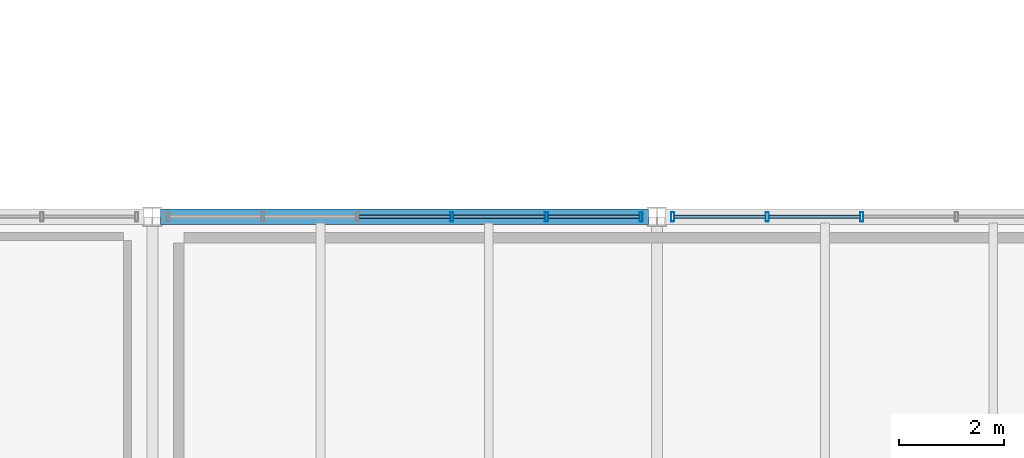
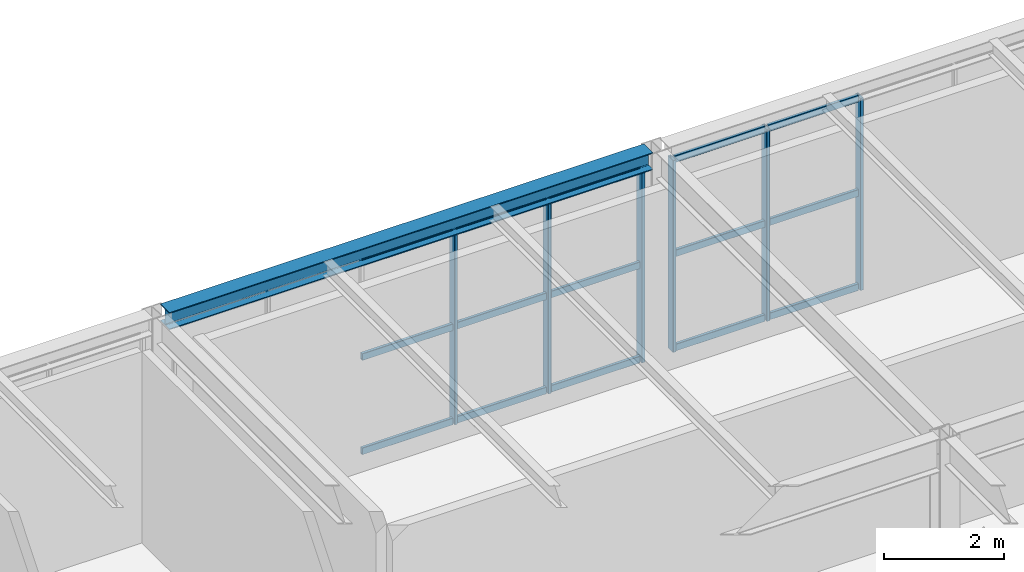
# One storey, part 65 of 170: 21 members, 1 beam, 2 elements without a shape of their own.
"""IFC4 building model written with IfcOpenShell, lengths in metres."""

import ifcopenshell
import ifcopenshell.guid

model = None  # the IFC model being written
_history = None  # IfcOwnerHistory: only IFC2X3 demands one
_inside = {}  # id of a spatial element -> (the spatial element, [elements in it])
_under = {}  # id of a project, library or spatial element -> (it, [spatial elements below it])
_declared = {}  # id of a project -> (the project, [libraries it declares])
_typed = {}  # id of a type object -> (the type object, [elements of that type])
_made_of = {}  # id of a material, layer set ... -> (it, [elements and type objects made of it])


def new_model(schema):
    """Start an empty IFC model of exactly this schema.

    Asked for "IFC4X3", IfcOpenShell would pick the latest addendum, in which some entities
    have other attributes; the version numbers below select the first issue.
    IFC2X3 requires an IfcOwnerHistory on every rooted entity: one is made here for all.
    """
    global model, _history
    if schema == "IFC4X3":
        model = ifcopenshell.file(schema_version=(4, 3, 0, 0))
    else:
        model = ifcopenshell.file(schema=schema)
    _inside.clear()
    _under.clear()
    _declared.clear()
    _typed.clear()
    _made_of.clear()
    _history = None
    if model.schema == "IFC2X3":
        org = make("IfcOrganization", Name="unknown")
        user = make(
            "IfcPersonAndOrganization",
            ThePerson=make("IfcPerson", FamilyName="unknown"),
            TheOrganization=org,
        )
        app = make(
            "IfcApplication",
            ApplicationDeveloper=org,
            Version="unknown",
            ApplicationFullName="unknown",
            ApplicationIdentifier="unknown",
        )
        _history = make(
            "IfcOwnerHistory",
            OwningUser=user,
            OwningApplication=app,
            ChangeAction="ADDED",
            CreationDate=0,
        )
    return model


def make(cls, **values):
    """One entity of the class cls with the attributes given. An attribute that is None is left unset."""
    return model.create_entity(
        cls, **{name: value for name, value in values.items() if value is not None}
    )


def rooted(cls, **values):
    """An entity with a GlobalId (a new one), such as an element, a storey or a relation."""
    return make(cls, GlobalId=ifcopenshell.guid.new(), OwnerHistory=_history, **values)


def si_unit(unit_type, name, prefix=None):
    """IfcSIUnit, for example si_unit("LENGTHUNIT", "METRE", prefix="MILLI")."""
    return make("IfcSIUnit", UnitType=unit_type, Prefix=prefix, Name=name)


def assignment(units):
    """IfcUnitAssignment: the units of a project."""
    return None if units is None else make("IfcUnitAssignment", Units=units)


def point(xyz):
    """IfcCartesianPoint."""
    return None if xyz is None else make("IfcCartesianPoint", Coordinates=xyz)


def direction(xyz):
    """IfcDirection."""
    return None if xyz is None else make("IfcDirection", DirectionRatios=xyz)


def frame(location, z_axis=None, x_axis=None):
    """IfcAxis2Placement3D, a coordinate frame: its origin and axes. An axis left out is left unset."""
    return make(
        "IfcAxis2Placement3D",
        Location=point(location),
        Axis=direction(z_axis),
        RefDirection=direction(x_axis),
    )


def frame_2d(location, x_axis=None):
    """IfcAxis2Placement2D, a coordinate frame in the plane: its origin and x axis."""
    return make(
        "IfcAxis2Placement2D", Location=point(location), RefDirection=direction(x_axis)
    )


def origin():
    """The frame at (0, 0, 0) with its axes left unset."""
    return frame((0.0, 0.0, 0.0))


def origin_2d():
    """The frame at (0, 0) in the plane with its x axis left unset."""
    return frame_2d((0.0, 0.0))


def place(relative_to, where):
    """IfcLocalPlacement: puts the frame where relative to a parent placement (None: the world)."""
    return make(
        "IfcLocalPlacement", PlacementRelTo=relative_to, RelativePlacement=where
    )


def context(
    kind, dimensions, precision=None, world=None, true_north=None, identifier=None
):
    """IfcGeometricRepresentationContext, for example the 3D "Model" context."""
    return make(
        "IfcGeometricRepresentationContext",
        ContextIdentifier=identifier,
        ContextType=kind,
        CoordinateSpaceDimension=dimensions,
        Precision=precision,
        WorldCoordinateSystem=world,
        TrueNorth=true_north,
    )


def subcontext(parent, identifier, kind, view, scale=None):
    """IfcGeometricRepresentationSubContext, for example "Body" below "Model"."""
    return make(
        "IfcGeometricRepresentationSubContext",
        ContextIdentifier=identifier,
        ContextType=kind,
        ParentContext=parent,
        TargetScale=scale,
        TargetView=view,
    )


def project(units=None, contexts=None):
    """IfcProject with its units and contexts."""
    return rooted(
        "IfcProject",
        Name="project",
        RepresentationContexts=contexts,
        UnitsInContext=assignment(units),
    )


def spatial(cls, under=None, at=None, **own):
    """A site, building, storey or space (cls), placed at a placement, below another one or the project."""
    s = rooted(cls, ObjectPlacement=at, **own)
    if under is not None:
        _under.setdefault(under.id(), (under, []))[1].append(s)
    return s


def profile(cls, at=None, kind="AREA", **sizes):
    """A parametric profile (cls). Its sizes go by their IFC names, for example OverallWidth=200.0."""
    return make(cls, ProfileType=kind, Position=at, **sizes)


def hollow_rectangle(**sizes):
    """IfcRectangleHollowProfileDef."""
    return profile("IfcRectangleHollowProfileDef", **sizes)


def i_section(**sizes):
    """IfcIShapeProfileDef."""
    return profile("IfcIShapeProfileDef", **sizes)


def extrude(swept, where, along, depth):
    """IfcExtrudedAreaSolid: the profile swept, set in the frame where, extruded along a direction by depth."""
    return make(
        "IfcExtrudedAreaSolid",
        SweptArea=swept,
        Position=where,
        ExtrudedDirection=direction(along),
        Depth=depth,
    )


def shape(context_of_items, identifier, shape_type, items):
    """IfcShapeRepresentation: the items that make up one representation, for example the "Body"."""
    return make(
        "IfcShapeRepresentation",
        ContextOfItems=context_of_items,
        RepresentationIdentifier=identifier,
        RepresentationType=shape_type,
        Items=items,
    )


def material(Name=None, Category=None):
    """IfcMaterial."""
    return make("IfcMaterial", Name=Name, Category=Category)


def material_profile(
    of_material, cross_section, Name=None, Category=None, Priority=None
):
    """IfcMaterialProfile: a cross section and its material."""
    return make(
        "IfcMaterialProfile",
        Name=Name,
        Material=of_material,
        Profile=cross_section,
        Priority=Priority,
        Category=Category,
    )


def profile_set(profiles, Name=None, composite=None):
    """IfcMaterialProfileSet."""
    return make(
        "IfcMaterialProfileSet",
        Name=Name,
        MaterialProfiles=profiles,
        CompositeProfile=composite,
    )


def made_of(thing, what):
    """Note that an element or type object is made of a material, layer set ...; save() writes the relation."""
    if what is not None:
        _made_of.setdefault(what.id(), (what, []))[1].append(thing)
    return thing


def type_object(cls, material=None, **own):
    """A type object (cls), such as IfcWallType, which elements share."""
    return made_of(rooted(cls, **own), material)


def element(
    cls,
    number,
    at=None,
    inside=None,
    cuts=None,
    type_object=None,
    material=None,
    context=None,
    identifier="Body",
    shape_type=None,
    held_by="IfcProductDefinitionShape",
    body=None,
    shapes=None,
    **own,
):
    """One element of the class cls, such as IfcWall. Its Tag is "e" and its number.

    at: its placement. inside: the storey or other place that contains it. cuts: it is an
    opening in that element (IfcRelVoidsElement). A single representation is given by context,
    identifier, shape_type and body (its items); several are given by shapes. held_by: the class
    of the entity that holds the representations. save() writes the other relations.
    """
    e = rooted(cls, Tag="e%d" % number, ObjectPlacement=at, **own)
    if body is not None:
        shapes = [shape(context, identifier, shape_type, body)]
    if shapes is not None:
        e.Representation = make(held_by, Representations=shapes)
    if inside is not None:
        _inside.setdefault(inside.id(), (inside, []))[1].append(e)
    if cuts is not None:
        rooted(
            "IfcRelVoidsElement", RelatingBuildingElement=cuts, RelatedOpeningElement=e
        )
    if type_object is not None:
        _typed.setdefault(type_object.id(), (type_object, []))[1].append(e)
    return made_of(e, material)


def aggregate(whole, parts):
    """IfcRelAggregates: a whole, such as a stair, and the parts it consists of."""
    return rooted("IfcRelAggregates", RelatingObject=whole, RelatedObjects=parts)


def save(model, path):
    """Write the relations noted so far, then the file.

    IfcRelAggregates (storeys below a building ...), IfcRelContainedInSpatialStructure (elements
    in a storey), IfcRelDefinesByType, IfcRelAssociatesMaterial and IfcRelDeclares: one each for
    every whole, place, type object, material and project.
    """
    for whole, parts in _under.values():
        aggregate(whole, parts)
    for where, things in _inside.values():
        rooted(
            "IfcRelContainedInSpatialStructure",
            RelatedElements=things,
            RelatingStructure=where,
        )
    for kind, things in _typed.values():
        rooted("IfcRelDefinesByType", RelatedObjects=things, RelatingType=kind)
    for what, things in _made_of.values():
        rooted("IfcRelAssociatesMaterial", RelatedObjects=things, RelatingMaterial=what)
    for by, libraries in _declared.values():
        rooted("IfcRelDeclares", RelatingContext=by, RelatedDefinitions=libraries)
    model.write(path)


model = new_model("IFC4")

# Units and contexts
model_context = context("Model", 3, precision=1e-05, world=origin(), true_north=direction((0.0, 1.0)))
body_context = subcontext(model_context, "Body", "Model", "MODEL_VIEW")
ifc_project = project(units=[si_unit("LENGTHUNIT", "METRE"), si_unit("AREAUNIT", "SQUARE_METRE"), si_unit("VOLUMEUNIT", "CUBIC_METRE"), si_unit("PLANEANGLEUNIT", "RADIAN"), si_unit("MASSUNIT", "GRAM", prefix="KILO")], contexts=[model_context])

# Site, building, storey
site_placement = place(None, origin())
site = spatial("IfcSite", under=ifc_project, at=site_placement, CompositionType="ELEMENT")
building_placement = place(site_placement, origin())
building = spatial("IfcBuilding", under=site, at=building_placement, Name="Coralgate Yard Interchange", CompositionType="ELEMENT")
storey_placement = place(building_placement, frame((0.0, 0.0, 6.0)))
storey = spatial("IfcBuildingStorey", under=building, at=storey_placement, Name="L01", CompositionType="ELEMENT", Elevation=6.0)

# Beam
ifc_material_1 = material(Name="Structural steel S355J2", Category="steel")
ifc_material_profile_1 = material_profile(ifc_material_1, i_section(OverallWidth=0.300048828125, OverallDepth=0.35009765625, WebThickness=0.010009765625, FlangeThickness=0.017578125, FilletRadius=0.027099609375, at=origin_2d()), Name="HEA 360")
ifc_profile_set_1 = profile_set([ifc_material_profile_1], Name="Structural steel S355J2")
beam_type = type_object("IfcBeamType", Name="BM-SP-1", PredefinedType="SPANDREL", material=ifc_profile_set_1)
beam_placement = place(storey_placement, frame((76.956298828125, 19.199951171875, 4.074951171875), z_axis=(1.0, 0.0, 0.0), x_axis=(0.0, 1.0, 0.0)))
element("IfcBeam", 1, at=beam_placement, inside=storey, type_object=beam_type, Name="L01 primary grid beam Y2 X8-9", PredefinedType="SPANDREL", context=body_context, shape_type="SweptSolid", body=[
    extrude(i_section(OverallWidth=0.300048828125, OverallDepth=0.35009765625, WebThickness=0.010009765625, FlangeThickness=0.017578125, FilletRadius=0.027099609375, at=origin_2d()), origin(), (0.0, 0.0, 1.0), 9.287353515625),
])

# Curtain wall, members
ifc_material_2 = material(Name="Anodised coastal aluminium and solar-control low-E glass", Category="aluminium")
curtain_wall_type_1 = type_object("IfcCurtainWallType", Name="CW-CW-L01-B", PredefinedType="NOTDEFINED", material=ifc_material_2)
curtain_wall_1_placement = place(storey_placement, origin())
curtain_wall_1 = element("IfcCurtainWall", 2, at=curtain_wall_1_placement, inside=storey, type_object=curtain_wall_type_1, Name="L01 unitised curtain wall CW-L01-N-08-01", PredefinedType="NOTDEFINED")
ifc_material_3 = material(Name="Anodised coastal aluminium 6063-T6", Category="aluminium")
ifc_material_profile_2 = material_profile(ifc_material_3, hollow_rectangle(XDim=0.06005859375, YDim=0.179931640625, WallThickness=0.00390625, InnerFilletRadius=0.00390625, OuterFilletRadius=0.008056640625, at=origin_2d()), Name="ALU 60x180x4")
ifc_profile_set_2 = profile_set([ifc_material_profile_2], Name="Anodised coastal aluminium 6063-T6")
member_type_1 = type_object("IfcMemberType", Name="MB-MUL-180", PredefinedType="MULLION", material=ifc_profile_set_2)
member_1_placement = place(storey_placement, frame((82.5, 19.199951171875, 0.0), z_axis=(0.0, 0.0, 1.0), x_axis=(1.0, 0.0, 0.0)))
member_1 = element("IfcMember", 3, at=member_1_placement, type_object=member_type_1, Name="CW-L01-N-08-01 vertical mullion 4", PredefinedType="MULLION", context=body_context, shape_type="SweptSolid", body=[
    extrude(hollow_rectangle(XDim=0.06005859375, YDim=0.179931640625, WallThickness=0.00390625, InnerFilletRadius=0.00390625, OuterFilletRadius=0.008056640625, at=origin_2d()), origin(), (0.0, 0.0, 1.0), 3.89990234375),
])
member_2_placement = place(storey_placement, frame((84.300048828125, 19.199951171875, 0.0), z_axis=(0.0, 0.0, 1.0), x_axis=(1.0, 0.0, 0.0)))
member_2 = element("IfcMember", 4, at=member_2_placement, type_object=member_type_1, Name="CW-L01-N-08-01 vertical mullion 5", PredefinedType="MULLION", context=body_context, shape_type="SweptSolid", body=[
    extrude(hollow_rectangle(XDim=0.06005859375, YDim=0.179931640625, WallThickness=0.00390625, InnerFilletRadius=0.00390625, OuterFilletRadius=0.008056640625, at=origin_2d()), origin(), (0.0, 0.0, 1.0), 3.89990234375),
])
member_3_placement = place(storey_placement, frame((86.10009765625, 19.199951171875, 0.0), z_axis=(0.0, 0.0, 1.0), x_axis=(1.0, 0.0, 0.0)))
member_3 = element("IfcMember", 5, at=member_3_placement, type_object=member_type_1, Name="CW-L01-N-08-01 vertical mullion 6", PredefinedType="MULLION", context=body_context, shape_type="SweptSolid", body=[
    extrude(hollow_rectangle(XDim=0.06005859375, YDim=0.179931640625, WallThickness=0.00390625, InnerFilletRadius=0.00390625, OuterFilletRadius=0.008056640625, at=origin_2d()), origin(), (0.0, 0.0, 1.0), 3.89990234375),
])

curtain_wall_type_2 = type_object("IfcCurtainWallType", Name="CW-CW-L01-A", PredefinedType="NOTDEFINED", material=ifc_material_2)
curtain_wall_2_placement = place(storey_placement, origin())
curtain_wall_2 = element("IfcCurtainWall", 6, at=curtain_wall_2_placement, inside=storey, type_object=curtain_wall_type_2, Name="L01 unitised curtain wall CW-L01-N-09-01", PredefinedType="NOTDEFINED")
member_4_placement = place(storey_placement, frame((86.699951171875, 19.199951171875, 0.0), z_axis=(0.0, 0.0, 1.0), x_axis=(1.0, 0.0, 0.0)))
member_4 = element("IfcMember", 7, at=member_4_placement, type_object=member_type_1, Name="CW-L01-N-09-01 vertical mullion 1", PredefinedType="MULLION", context=body_context, shape_type="SweptSolid", body=[
    extrude(hollow_rectangle(XDim=0.06005859375, YDim=0.179931640625, WallThickness=0.00390625, InnerFilletRadius=0.00390625, OuterFilletRadius=0.008056640625, at=origin_2d()), origin(), (0.0, 0.0, 1.0), 3.89990234375),
])
member_5_placement = place(storey_placement, frame((88.5, 19.199951171875, 0.0), z_axis=(0.0, 0.0, 1.0), x_axis=(1.0, 0.0, 0.0)))
member_5 = element("IfcMember", 8, at=member_5_placement, type_object=member_type_1, Name="CW-L01-N-09-01 vertical mullion 2", PredefinedType="MULLION", context=body_context, shape_type="SweptSolid", body=[
    extrude(hollow_rectangle(XDim=0.06005859375, YDim=0.179931640625, WallThickness=0.00390625, InnerFilletRadius=0.00390625, OuterFilletRadius=0.008056640625, at=origin_2d()), origin(), (0.0, 0.0, 1.0), 3.89990234375),
])
member_6_placement = place(storey_placement, frame((90.300048828125, 19.199951171875, 0.0), z_axis=(0.0, 0.0, 1.0), x_axis=(1.0, 0.0, 0.0)))
member_6 = element("IfcMember", 9, at=member_6_placement, type_object=member_type_1, Name="CW-L01-N-09-01 vertical mullion 3", PredefinedType="MULLION", context=body_context, shape_type="SweptSolid", body=[
    extrude(hollow_rectangle(XDim=0.06005859375, YDim=0.179931640625, WallThickness=0.00390625, InnerFilletRadius=0.00390625, OuterFilletRadius=0.008056640625, at=origin_2d()), origin(), (0.0, 0.0, 1.0), 3.89990234375),
])

# Member
ifc_material_profile_3 = material_profile(ifc_material_3, hollow_rectangle(XDim=0.06005859375, YDim=0.139892578125, WallThickness=0.00341796875, InnerFilletRadius=0.00341796875, OuterFilletRadius=0.007080078125, at=origin_2d()), Name="ALU 60x140x3.5")
ifc_profile_set_3 = profile_set([ifc_material_profile_3], Name="Anodised coastal aluminium 6063-T6")
member_type_2 = type_object("IfcMemberType", Name="MB-TRN-140", PredefinedType="USERDEFINED", material=ifc_profile_set_3)
member_7_placement = place(storey_placement, frame((80.72998046875, 19.199951171875, 0.034912109375), z_axis=(1.0, 0.0, 0.0), x_axis=(0.0, 1.0, 0.0)))
member_7 = element("IfcMember", 10, at=member_7_placement, type_object=member_type_2, Name="CW-L01-N-08-01 horizontal transom 3-1", ObjectType="TRANSOM", PredefinedType="USERDEFINED", context=body_context, shape_type="SweptSolid", body=[
    extrude(hollow_rectangle(XDim=0.06005859375, YDim=0.139892578125, WallThickness=0.00341796875, InnerFilletRadius=0.00341796875, OuterFilletRadius=0.007080078125, at=origin_2d()), origin(), (0.0, 0.0, 1.0), 1.739990234375),
])

member_8_placement = place(storey_placement, frame((80.72998046875, 19.199951171875, 1.949951171875), z_axis=(1.0, 0.0, 0.0), x_axis=(0.0, 1.0, 0.0)))
member_8 = element("IfcMember", 11, at=member_8_placement, type_object=member_type_2, Name="CW-L01-N-08-01 horizontal transom 3-2", ObjectType="TRANSOM", PredefinedType="USERDEFINED", context=body_context, shape_type="SweptSolid", body=[
    extrude(hollow_rectangle(XDim=0.06005859375, YDim=0.139892578125, WallThickness=0.00341796875, InnerFilletRadius=0.00341796875, OuterFilletRadius=0.007080078125, at=origin_2d()), origin(), (0.0, 0.0, 1.0), 1.739990234375),
])

member_9_placement = place(storey_placement, frame((80.72998046875, 19.199951171875, 3.864990234375), z_axis=(1.0, 0.0, 0.0), x_axis=(0.0, 1.0, 0.0)))
member_9 = element("IfcMember", 12, at=member_9_placement, type_object=member_type_2, Name="CW-L01-N-08-01 horizontal transom 3-3", ObjectType="TRANSOM", PredefinedType="USERDEFINED", context=body_context, shape_type="SweptSolid", body=[
    extrude(hollow_rectangle(XDim=0.06005859375, YDim=0.139892578125, WallThickness=0.00341796875, InnerFilletRadius=0.00341796875, OuterFilletRadius=0.007080078125, at=origin_2d()), origin(), (0.0, 0.0, 1.0), 1.739990234375),
])

member_10_placement = place(storey_placement, frame((82.530029296875, 19.199951171875, 0.034912109375), z_axis=(1.0, 0.0, 0.0), x_axis=(0.0, 1.0, 0.0)))
member_10 = element("IfcMember", 13, at=member_10_placement, type_object=member_type_2, Name="CW-L01-N-08-01 horizontal transom 4-1", ObjectType="TRANSOM", PredefinedType="USERDEFINED", context=body_context, shape_type="SweptSolid", body=[
    extrude(hollow_rectangle(XDim=0.06005859375, YDim=0.139892578125, WallThickness=0.00341796875, InnerFilletRadius=0.00341796875, OuterFilletRadius=0.007080078125, at=origin_2d()), origin(), (0.0, 0.0, 1.0), 1.739990234375),
])

member_11_placement = place(storey_placement, frame((82.530029296875, 19.199951171875, 1.949951171875), z_axis=(1.0, 0.0, 0.0), x_axis=(0.0, 1.0, 0.0)))
member_11 = element("IfcMember", 14, at=member_11_placement, type_object=member_type_2, Name="CW-L01-N-08-01 horizontal transom 4-2", ObjectType="TRANSOM", PredefinedType="USERDEFINED", context=body_context, shape_type="SweptSolid", body=[
    extrude(hollow_rectangle(XDim=0.06005859375, YDim=0.139892578125, WallThickness=0.00341796875, InnerFilletRadius=0.00341796875, OuterFilletRadius=0.007080078125, at=origin_2d()), origin(), (0.0, 0.0, 1.0), 1.739990234375),
])

member_12_placement = place(storey_placement, frame((82.530029296875, 19.199951171875, 3.864990234375), z_axis=(1.0, 0.0, 0.0), x_axis=(0.0, 1.0, 0.0)))
member_12 = element("IfcMember", 15, at=member_12_placement, type_object=member_type_2, Name="CW-L01-N-08-01 horizontal transom 4-3", ObjectType="TRANSOM", PredefinedType="USERDEFINED", context=body_context, shape_type="SweptSolid", body=[
    extrude(hollow_rectangle(XDim=0.06005859375, YDim=0.139892578125, WallThickness=0.00341796875, InnerFilletRadius=0.00341796875, OuterFilletRadius=0.007080078125, at=origin_2d()), origin(), (0.0, 0.0, 1.0), 1.739990234375),
])

member_13_placement = place(storey_placement, frame((84.330078125, 19.199951171875, 0.034912109375), z_axis=(1.0, 0.0, 0.0), x_axis=(0.0, 1.0, 0.0)))
member_13 = element("IfcMember", 16, at=member_13_placement, type_object=member_type_2, Name="CW-L01-N-08-01 horizontal transom 5-1", ObjectType="TRANSOM", PredefinedType="USERDEFINED", context=body_context, shape_type="SweptSolid", body=[
    extrude(hollow_rectangle(XDim=0.06005859375, YDim=0.139892578125, WallThickness=0.00341796875, InnerFilletRadius=0.00341796875, OuterFilletRadius=0.007080078125, at=origin_2d()), origin(), (0.0, 0.0, 1.0), 1.739990234375),
])

member_14_placement = place(storey_placement, frame((84.330078125, 19.199951171875, 1.949951171875), z_axis=(1.0, 0.0, 0.0), x_axis=(0.0, 1.0, 0.0)))
member_14 = element("IfcMember", 17, at=member_14_placement, type_object=member_type_2, Name="CW-L01-N-08-01 horizontal transom 5-2", ObjectType="TRANSOM", PredefinedType="USERDEFINED", context=body_context, shape_type="SweptSolid", body=[
    extrude(hollow_rectangle(XDim=0.06005859375, YDim=0.139892578125, WallThickness=0.00341796875, InnerFilletRadius=0.00341796875, OuterFilletRadius=0.007080078125, at=origin_2d()), origin(), (0.0, 0.0, 1.0), 1.739990234375),
])

member_15_placement = place(storey_placement, frame((84.330078125, 19.199951171875, 3.864990234375), z_axis=(1.0, 0.0, 0.0), x_axis=(0.0, 1.0, 0.0)))
member_15 = element("IfcMember", 18, at=member_15_placement, type_object=member_type_2, Name="CW-L01-N-08-01 horizontal transom 5-3", ObjectType="TRANSOM", PredefinedType="USERDEFINED", context=body_context, shape_type="SweptSolid", body=[
    extrude(hollow_rectangle(XDim=0.06005859375, YDim=0.139892578125, WallThickness=0.00341796875, InnerFilletRadius=0.00341796875, OuterFilletRadius=0.007080078125, at=origin_2d()), origin(), (0.0, 0.0, 1.0), 1.739990234375),
])

aggregate(curtain_wall_1, [member_1, member_2, member_3, member_7, member_8, member_9, member_10, member_11, member_12, member_13, member_14, member_15])

member_16_placement = place(storey_placement, frame((86.72998046875, 19.199951171875, 0.034912109375), z_axis=(1.0, 0.0, 0.0), x_axis=(0.0, 1.0, 0.0)))
member_16 = element("IfcMember", 19, at=member_16_placement, type_object=member_type_2, Name="CW-L01-N-09-01 horizontal transom 1-1", ObjectType="TRANSOM", PredefinedType="USERDEFINED", context=body_context, shape_type="SweptSolid", body=[
    extrude(hollow_rectangle(XDim=0.06005859375, YDim=0.139892578125, WallThickness=0.00341796875, InnerFilletRadius=0.00341796875, OuterFilletRadius=0.007080078125, at=origin_2d()), origin(), (0.0, 0.0, 1.0), 1.739990234375),
])

member_17_placement = place(storey_placement, frame((86.72998046875, 19.199951171875, 1.949951171875), z_axis=(1.0, 0.0, 0.0), x_axis=(0.0, 1.0, 0.0)))
member_17 = element("IfcMember", 20, at=member_17_placement, type_object=member_type_2, Name="CW-L01-N-09-01 horizontal transom 1-2", ObjectType="TRANSOM", PredefinedType="USERDEFINED", context=body_context, shape_type="SweptSolid", body=[
    extrude(hollow_rectangle(XDim=0.06005859375, YDim=0.139892578125, WallThickness=0.00341796875, InnerFilletRadius=0.00341796875, OuterFilletRadius=0.007080078125, at=origin_2d()), origin(), (0.0, 0.0, 1.0), 1.739990234375),
])

member_18_placement = place(storey_placement, frame((86.72998046875, 19.199951171875, 3.864990234375), z_axis=(1.0, 0.0, 0.0), x_axis=(0.0, 1.0, 0.0)))
member_18 = element("IfcMember", 21, at=member_18_placement, type_object=member_type_2, Name="CW-L01-N-09-01 horizontal transom 1-3", ObjectType="TRANSOM", PredefinedType="USERDEFINED", context=body_context, shape_type="SweptSolid", body=[
    extrude(hollow_rectangle(XDim=0.06005859375, YDim=0.139892578125, WallThickness=0.00341796875, InnerFilletRadius=0.00341796875, OuterFilletRadius=0.007080078125, at=origin_2d()), origin(), (0.0, 0.0, 1.0), 1.739990234375),
])

member_19_placement = place(storey_placement, frame((88.530029296875, 19.199951171875, 0.034912109375), z_axis=(1.0, 0.0, 0.0), x_axis=(0.0, 1.0, 0.0)))
member_19 = element("IfcMember", 22, at=member_19_placement, type_object=member_type_2, Name="CW-L01-N-09-01 horizontal transom 2-1", ObjectType="TRANSOM", PredefinedType="USERDEFINED", context=body_context, shape_type="SweptSolid", body=[
    extrude(hollow_rectangle(XDim=0.06005859375, YDim=0.139892578125, WallThickness=0.00341796875, InnerFilletRadius=0.00341796875, OuterFilletRadius=0.007080078125, at=origin_2d()), origin(), (0.0, 0.0, 1.0), 1.739990234375),
])

member_20_placement = place(storey_placement, frame((88.530029296875, 19.199951171875, 1.949951171875), z_axis=(1.0, 0.0, 0.0), x_axis=(0.0, 1.0, 0.0)))
member_20 = element("IfcMember", 23, at=member_20_placement, type_object=member_type_2, Name="CW-L01-N-09-01 horizontal transom 2-2", ObjectType="TRANSOM", PredefinedType="USERDEFINED", context=body_context, shape_type="SweptSolid", body=[
    extrude(hollow_rectangle(XDim=0.06005859375, YDim=0.139892578125, WallThickness=0.00341796875, InnerFilletRadius=0.00341796875, OuterFilletRadius=0.007080078125, at=origin_2d()), origin(), (0.0, 0.0, 1.0), 1.739990234375),
])

member_21_placement = place(storey_placement, frame((88.530029296875, 19.199951171875, 3.864990234375), z_axis=(1.0, 0.0, 0.0), x_axis=(0.0, 1.0, 0.0)))
member_21 = element("IfcMember", 24, at=member_21_placement, type_object=member_type_2, Name="CW-L01-N-09-01 horizontal transom 2-3", ObjectType="TRANSOM", PredefinedType="USERDEFINED", context=body_context, shape_type="SweptSolid", body=[
    extrude(hollow_rectangle(XDim=0.06005859375, YDim=0.139892578125, WallThickness=0.00341796875, InnerFilletRadius=0.00341796875, OuterFilletRadius=0.007080078125, at=origin_2d()), origin(), (0.0, 0.0, 1.0), 1.739990234375),
])

aggregate(curtain_wall_2, [member_4, member_5, member_6, member_16, member_17, member_18, member_19, member_20, member_21])

save(model, "model.ifc")
